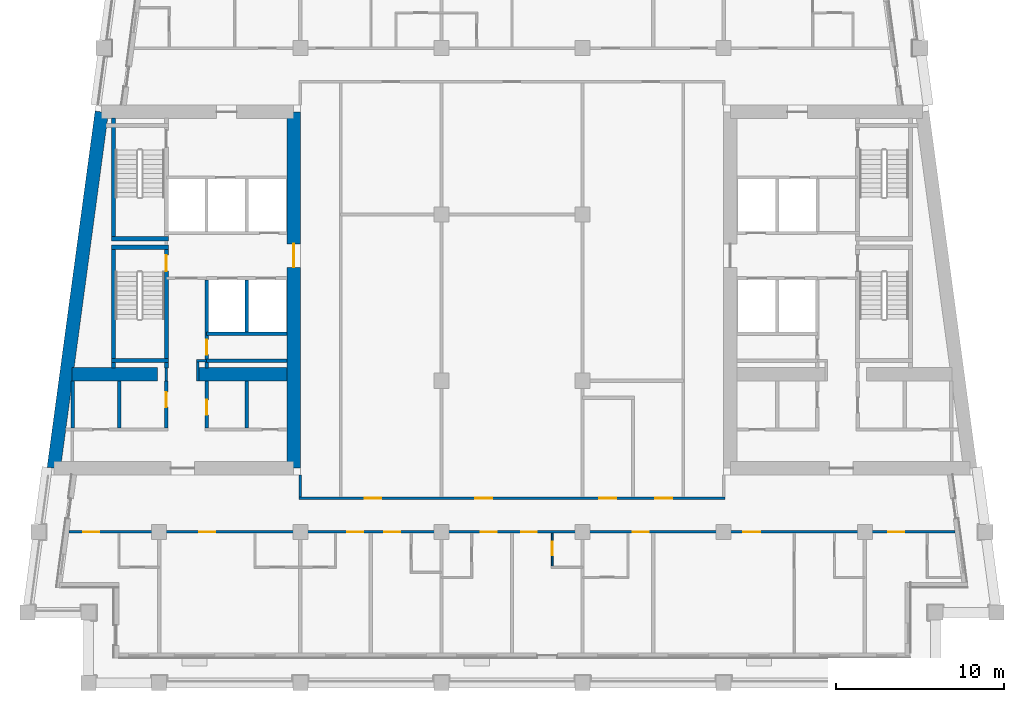
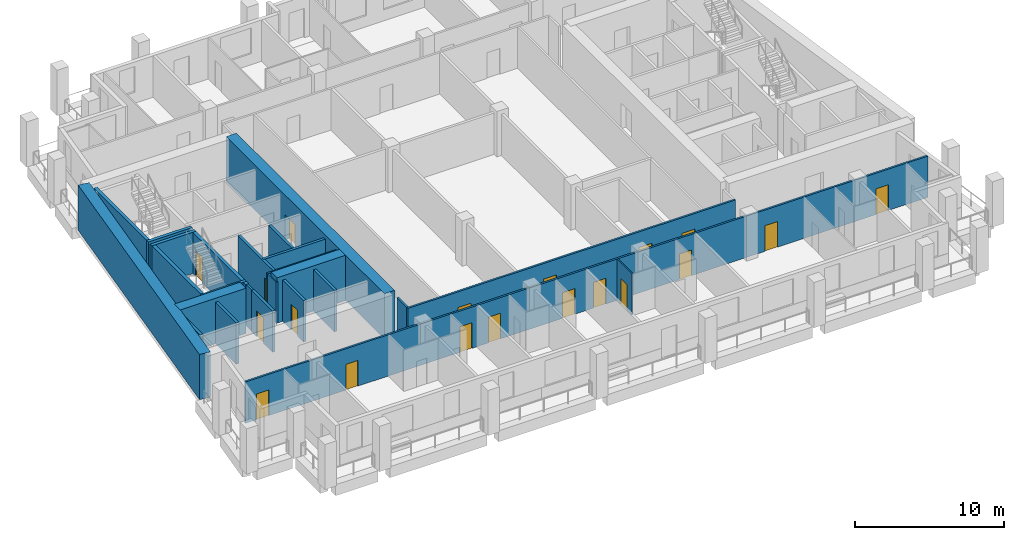
# One storey, part 3 of 13: 26 walls, 19 doors, 19 openings.
"""IFC4 building model written with IfcOpenShell, lengths in metres."""

from ifc_helpers import new_model, si_unit, direction, frame, frame_2d, origin, place, context, subcontext, project, spatial, rectangle, extrude, material, layer, layer_set, type_object, element, fill, save


model = new_model("IFC4")

# Units and contexts
model_context = context("Model", 3, precision=1e-05, world=origin(), true_north=direction((0.0, 1.0)))
body_context = subcontext(model_context, "Body", "Model", "MODEL_VIEW")
ifc_project = project(units=[si_unit("LENGTHUNIT", "METRE"), si_unit("AREAUNIT", "SQUARE_METRE"), si_unit("VOLUMEUNIT", "CUBIC_METRE"), si_unit("PLANEANGLEUNIT", "RADIAN"), si_unit("MASSUNIT", "GRAM", prefix="KILO")], contexts=[model_context])

# Site, building, storey
site_placement = place(None, origin())
site = spatial("IfcSite", under=ifc_project, at=site_placement, CompositionType="ELEMENT")
building_placement = place(site_placement, origin())
building = spatial("IfcBuilding", under=site, at=building_placement, Name="Candeia Pilgrim Tower and Theatre", CompositionType="ELEMENT")
storey_placement = place(building_placement, frame((0.0, 0.0, 239.199951171875)))
storey = spatial("IfcBuildingStorey", under=building, at=storey_placement, Name="L58", CompositionType="ELEMENT", Elevation=239.199951171875)

# Wall, opening, door
ifc_material_1 = material(Name="Concrete C50/60", Category="concrete")
ifc_layer_1 = layer(ifc_material_1, 0.800048828125)
ifc_layer_set_1 = layer_set([ifc_layer_1], Name="Core wall 800 C50/60")
wall_type_1 = type_object("IfcWallType", Name="Core wall 800 C50/60", PredefinedType="SHEAR", material=ifc_layer_set_1)
wall_1_placement = place(storey_placement, frame((100.39990234375, 132.0, 0.0), z_axis=(0.0, 0.0, 1.0), x_axis=(0.0, -1.0, 0.0)))
wall_1 = element("IfcWall", 1, at=wall_1_placement, inside=storey, type_object=wall_type_1, Name="Core wall W2", PredefinedType="SHEAR", context=body_context, shape_type="SweptSolid", body=[
    extrude(rectangle(XDim=21.199951171875, YDim=0.800048828125, at=frame_2d((10.60009765625, 0.0))), origin(), (0.0, 0.0, 1.0), 3.699951171875),
])
opening_1_placement = place(wall_1_placement, frame((7.85009765625, 0.0, 0.0)))
opening_1 = element("IfcOpeningElement", 2, at=opening_1_placement, cuts=wall_1, Name="Opening L58-D058", PredefinedType="OPENING", context=body_context, shape_type="SweptSolid", body=[
    extrude(rectangle(XDim=1.39990234375, YDim=2.10009765625, at=frame_2d((0.699951171875, 1.050048828125))), frame((0.0, 0.41015625, 0.0), z_axis=(0.0, -1.0, 0.0), x_axis=(1.0, 0.0, 0.0)), (0.0, 0.0, 1.0), 0.820068359375),
])
ifc_material_2 = material(Name="Steel fire door set", Category="steel")
door_type_1 = type_object("IfcDoorType", Name="D-1400-FD60", OperationType="NOTDEFINED", PredefinedType="DOOR", material=ifc_material_2)
door_1_placement = place(opening_1_placement, origin())
door_1 = element("IfcDoor", 3, at=door_1_placement, inside=storey, type_object=door_type_1, Name="Door L58-D058", OperationType="SINGLE_SWING_RIGHT", OverallHeight=2.10009765625, OverallWidth=1.39990234375, PredefinedType="DOOR", context=body_context, shape_type="SweptSolid", body=[
    extrude(rectangle(XDim=1.39990234375, YDim=2.10009765625, at=frame_2d((0.699951171875, 1.050048828125))), frame((0.0, 0.02490234375, 0.0), z_axis=(0.0, -1.0, 0.0), x_axis=(1.0, 0.0, 0.0)), (0.0, 0.0, 1.0), 0.050048828125),
])
fill(opening_1, door_1)

# Walls
wall_2_placement = place(storey_placement, frame((86.126708984375, 110.800048828125, 0.0), z_axis=(0.0, 0.0, 1.0), x_axis=(0.133408347329, 0.991061154956, 0.0)))
element("IfcWall", 4, at=wall_2_placement, inside=storey, type_object=wall_type_1, Name="Core wall W4", PredefinedType="SHEAR", context=body_context, shape_type="SweptSolid", body=[
    extrude(rectangle(XDim=21.39111328125, YDim=0.800048828125, at=frame_2d((10.695556640625, 0.0))), origin(), (0.0, 0.0, 1.0), 3.699951171875),
])
wall_3_placement = place(storey_placement, frame((87.22314453125, 116.39990234375, 0.0), z_axis=(0.0, 0.0, 1.0), x_axis=(1.0, 0.0, 0.0)))
element("IfcWall", 5, at=wall_3_placement, inside=storey, type_object=wall_type_1, Name="Core wall W5", PredefinedType="SHEAR", context=body_context, shape_type="SweptSolid", body=[
    extrude(rectangle(XDim=5.076904296875, YDim=0.800048828125, at=frame_2d((2.53857421875, 0.0))), origin(), (0.0, 0.0, 1.0), 3.699951171875),
])
wall_4_placement = place(storey_placement, frame((94.699951171875, 116.39990234375, 0.0), z_axis=(0.0, 0.0, 1.0), x_axis=(1.0, 0.0, 0.0)))
element("IfcWall", 6, at=wall_4_placement, inside=storey, type_object=wall_type_1, Name="Core wall W6", PredefinedType="SHEAR", context=body_context, shape_type="SweptSolid", body=[
    extrude(rectangle(XDim=5.300048828125, YDim=0.800048828125, at=frame_2d((2.64990234375, 0.0))), origin(), (0.0, 0.0, 1.0), 3.699951171875),
])

# Wall, opening, door
ifc_material_3 = material(Name="Gypsum board partition on steel studs", Category="steel")
ifc_layer_2 = layer(ifc_material_3, 0.10009765625)
ifc_layer_set_2 = layer_set([ifc_layer_2], Name="PW-100 room partition")
wall_type_2 = type_object("IfcWallType", Name="PW-100 room partition", PredefinedType="PARTITIONING", material=ifc_layer_set_2)
wall_5_placement = place(storey_placement, frame((115.800048828125, 104.949951171875, 0.0), z_axis=(0.0, 0.0, 1.0), x_axis=(0.0, 1.0, 0.0)))
wall_5 = element("IfcWall", 7, at=wall_5_placement, inside=storey, type_object=wall_type_2, Name="Room partition L58-086", PredefinedType="PARTITIONING", context=body_context, shape_type="SweptSolid", body=[
    extrude(rectangle(XDim=1.97509765625, YDim=0.10009765625, at=frame_2d((0.987548828125, 0.0))), origin(), (0.0, 0.0, 1.0), 3.380126953125),
])
opening_2_placement = place(wall_5_placement, frame((0.659912109375, 0.0, 0.0)))
opening_2 = element("IfcOpeningElement", 8, at=opening_2_placement, cuts=wall_5, Name="Opening L58-D028", PredefinedType="OPENING", context=body_context, shape_type="SweptSolid", body=[
    extrude(rectangle(XDim=0.800048828125, YDim=2.10009765625, at=frame_2d((0.39990234375, 1.050048828125))), frame((0.0, 0.06005859375, 0.0), z_axis=(0.0, -1.0, 0.0), x_axis=(1.0, 0.0, 0.0)), (0.0, 0.0, 1.0), 0.1201171875),
])
ifc_material_4 = material(Name="Timber door leaf", Category="wood")
door_type_2 = type_object("IfcDoorType", Name="D-800", OperationType="NOTDEFINED", PredefinedType="DOOR", material=ifc_material_4)
door_2_placement = place(opening_2_placement, origin())
door_2 = element("IfcDoor", 9, at=door_2_placement, inside=storey, type_object=door_type_2, Name="Door L58-D028", OperationType="SINGLE_SWING_RIGHT", OverallHeight=2.10009765625, OverallWidth=0.800048828125, PredefinedType="DOOR", context=body_context, shape_type="SweptSolid", body=[
    extrude(rectangle(XDim=0.800048828125, YDim=2.10009765625, at=frame_2d((0.39990234375, 1.050048828125))), frame((0.0, 0.02490234375, 0.0), z_axis=(0.0, -1.0, 0.0), x_axis=(1.0, 0.0, 0.0)), (0.0, 0.0, 1.0), 0.050048828125),
])
fill(opening_2, door_2)

# Walls
ifc_layer_3 = layer(ifc_material_3, 0.14990234375)
ifc_layer_set_3 = layer_set([ifc_layer_3], Name="PW-150 lobby wall")
wall_type_3 = type_object("IfcWallType", Name="PW-150 lobby wall", PredefinedType="PARTITIONING", material=ifc_layer_set_3)
wall_6_placement = place(storey_placement, frame((94.625, 117.199951171875, 0.0), z_axis=(0.0, 0.0, 1.0), x_axis=(1.0, 0.0, 0.0)))
element("IfcWall", 10, at=wall_6_placement, inside=storey, type_object=wall_type_3, Name="Lobby wall L58-019", PredefinedType="PARTITIONING", context=body_context, shape_type="SweptSolid", body=[
    extrude(rectangle(XDim=0.60205078125, YDim=0.14990234375, at=frame_2d((0.301025390625, 0.0))), origin(), (0.0, 0.0, 1.0), 3.380126953125),
])
wall_7_placement = place(storey_placement, frame((92.826904296875, 116.0, 0.0), z_axis=(0.0, 0.0, 1.0), x_axis=(0.0, 1.0, 0.0)))
element("IfcWall", 11, at=wall_7_placement, inside=storey, type_object=wall_type_3, Name="Lobby wall L58-055", PredefinedType="PARTITIONING", context=body_context, shape_type="SweptSolid", body=[
    extrude(rectangle(XDim=0.77001953125, YDim=0.14990234375, at=frame_2d((0.385009765625, 0.0))), origin(), (0.0, 0.0, 1.0), 3.380126953125),
])
wall_8_placement = place(storey_placement, frame((94.699951171875, 116.0, 0.0), z_axis=(0.0, 0.0, 1.0), x_axis=(0.0, 1.0, 0.0)))
element("IfcWall", 12, at=wall_8_placement, inside=storey, type_object=wall_type_3, Name="Lobby wall L58-060", PredefinedType="PARTITIONING", context=body_context, shape_type="SweptSolid", body=[
    extrude(rectangle(XDim=1.125, YDim=0.14990234375, at=frame_2d((0.5625, 0.0))), origin(), (0.0, 0.0, 1.0), 3.380126953125),
])

# Wall, openings, doors
ifc_layer_4 = layer(ifc_material_3, 0.14990234375)
ifc_layer_set_4 = layer_set([ifc_layer_4], Name="PW-150 unit wall")
wall_type_4 = type_object("IfcWallType", Name="PW-150 unit wall", PredefinedType="PARTITIONING", material=ifc_layer_set_4)
wall_9_placement = place(storey_placement, frame((87.017578125, 107.0, 0.0), z_axis=(0.0, 0.0, 1.0), x_axis=(1.0, 0.0, 0.0)))
wall_9 = element("IfcWall", 13, at=wall_9_placement, inside=storey, type_object=wall_type_4, Name="Unit wall L58-009", PredefinedType="PARTITIONING", context=body_context, shape_type="SweptSolid", body=[
    extrude(rectangle(XDim=52.7646484375, YDim=0.14990234375, at=frame_2d((26.38232421875, 0.0))), origin(), (0.0, 0.0, 1.0), 3.380126953125),
])
opening_3_placement = place(wall_9_placement, frame((0.870361328125, 0.0, 0.0)))
opening_3 = element("IfcOpeningElement", 14, at=opening_3_placement, cuts=wall_9, Name="Opening L58-D017", PredefinedType="OPENING", context=body_context, shape_type="SweptSolid", body=[
    extrude(rectangle(XDim=0.949951171875, YDim=2.10009765625, at=frame_2d((0.47509765625, 1.050048828125))), frame((0.0, 0.0849609375, 0.0), z_axis=(0.0, -1.0, 0.0), x_axis=(1.0, 0.0, 0.0)), (0.0, 0.0, 1.0), 0.169921875),
])
opening_4_placement = place(wall_9_placement, frame((7.75732421875, 0.0, 0.0)))
opening_4 = element("IfcOpeningElement", 15, at=opening_4_placement, cuts=wall_9, Name="Opening L58-D019", PredefinedType="OPENING", context=body_context, shape_type="SweptSolid", body=[
    extrude(rectangle(XDim=0.949951171875, YDim=2.10009765625, at=frame_2d((0.47509765625, 1.050048828125))), frame((0.0, 0.0849609375, 0.0), z_axis=(0.0, -1.0, 0.0), x_axis=(1.0, 0.0, 0.0)), (0.0, 0.0, 1.0), 0.169921875),
])
opening_5_placement = place(wall_9_placement, frame((16.5703125, 0.0, 0.0)))
opening_5 = element("IfcOpeningElement", 16, at=opening_5_placement, cuts=wall_9, Name="Opening L58-D021", PredefinedType="OPENING", context=body_context, shape_type="SweptSolid", body=[
    extrude(rectangle(XDim=0.949951171875, YDim=2.10009765625, at=frame_2d((0.47509765625, 1.050048828125))), frame((0.0, 0.0849609375, 0.0), z_axis=(0.0, -1.0, 0.0), x_axis=(1.0, 0.0, 0.0)), (0.0, 0.0, 1.0), 0.169921875),
])
opening_6_placement = place(wall_9_placement, frame((18.7822265625, 0.0, 0.0)))
opening_6 = element("IfcOpeningElement", 17, at=opening_6_placement, cuts=wall_9, Name="Opening L58-D023", PredefinedType="OPENING", context=body_context, shape_type="SweptSolid", body=[
    extrude(rectangle(XDim=0.949951171875, YDim=2.10009765625, at=frame_2d((0.47509765625, 1.050048828125))), frame((0.0, 0.0849609375, 0.0), z_axis=(0.0, -1.0, 0.0), x_axis=(1.0, 0.0, 0.0)), (0.0, 0.0, 1.0), 0.169921875),
])
opening_7_placement = place(wall_9_placement, frame((24.519287109375, 0.0, 0.0)))
opening_7 = element("IfcOpeningElement", 18, at=opening_7_placement, cuts=wall_9, Name="Opening L58-D025", PredefinedType="OPENING", context=body_context, shape_type="SweptSolid", body=[
    extrude(rectangle(XDim=0.949951171875, YDim=2.10009765625, at=frame_2d((0.47509765625, 1.050048828125))), frame((0.0, 0.0849609375, 0.0), z_axis=(0.0, -1.0, 0.0), x_axis=(1.0, 0.0, 0.0)), (0.0, 0.0, 1.0), 0.169921875),
])
opening_8_placement = place(wall_9_placement, frame((26.919189453125, 0.0, 0.0)))
opening_8 = element("IfcOpeningElement", 19, at=opening_8_placement, cuts=wall_9, Name="Opening L58-D027", PredefinedType="OPENING", context=body_context, shape_type="SweptSolid", body=[
    extrude(rectangle(XDim=0.949951171875, YDim=2.10009765625, at=frame_2d((0.47509765625, 1.050048828125))), frame((0.0, 0.0849609375, 0.0), z_axis=(0.0, -1.0, 0.0), x_axis=(1.0, 0.0, 0.0)), (0.0, 0.0, 1.0), 0.169921875),
])
opening_9_placement = place(wall_9_placement, frame((33.557373046875, 0.0, 0.0)))
opening_9 = element("IfcOpeningElement", 20, at=opening_9_placement, cuts=wall_9, Name="Opening L58-D029", PredefinedType="OPENING", context=body_context, shape_type="SweptSolid", body=[
    extrude(rectangle(XDim=0.949951171875, YDim=2.10009765625, at=frame_2d((0.47509765625, 1.050048828125))), frame((0.0, 0.0849609375, 0.0), z_axis=(0.0, -1.0, 0.0), x_axis=(1.0, 0.0, 0.0)), (0.0, 0.0, 1.0), 0.169921875),
])
opening_10_placement = place(wall_9_placement, frame((40.1572265625, 0.0, 0.0)))
opening_10 = element("IfcOpeningElement", 21, at=opening_10_placement, cuts=wall_9, Name="Opening L58-D031", PredefinedType="OPENING", context=body_context, shape_type="SweptSolid", body=[
    extrude(rectangle(XDim=1.0, YDim=2.10009765625, at=frame_2d((0.5, 1.050048828125))), frame((0.0, 0.0849609375, 0.0), z_axis=(0.0, -1.0, 0.0), x_axis=(1.0, 0.0, 0.0)), (0.0, 0.0, 1.0), 0.169921875),
])
opening_11_placement = place(wall_9_placement, frame((48.767333984375, 0.0, 0.0)))
opening_11 = element("IfcOpeningElement", 22, at=opening_11_placement, cuts=wall_9, Name="Opening L58-D034", PredefinedType="OPENING", context=body_context, shape_type="SweptSolid", body=[
    extrude(rectangle(XDim=0.949951171875, YDim=2.10009765625, at=frame_2d((0.47509765625, 1.050048828125))), frame((0.0, 0.0849609375, 0.0), z_axis=(0.0, -1.0, 0.0), x_axis=(1.0, 0.0, 0.0)), (0.0, 0.0, 1.0), 0.169921875),
])
door_type_3 = type_object("IfcDoorType", Name="D-1000-FD30S", OperationType="NOTDEFINED", PredefinedType="DOOR", material=ifc_material_2)
door_3_placement = place(opening_10_placement, origin())
door_3 = element("IfcDoor", 23, at=door_3_placement, inside=storey, type_object=door_type_3, Name="Door L58-D031", OperationType="SINGLE_SWING_LEFT", OverallHeight=2.10009765625, OverallWidth=1.0, PredefinedType="DOOR", context=body_context, shape_type="SweptSolid", body=[
    extrude(rectangle(XDim=1.0, YDim=2.10009765625, at=frame_2d((0.5, 1.050048828125))), frame((0.0, 0.02490234375, 0.0), z_axis=(0.0, -1.0, 0.0), x_axis=(1.0, 0.0, 0.0)), (0.0, 0.0, 1.0), 0.050048828125),
])
fill(opening_10, door_3)
door_type_4 = type_object("IfcDoorType", Name="D-950-FD30S", OperationType="NOTDEFINED", PredefinedType="DOOR", material=ifc_material_2)
door_4_placement = place(opening_3_placement, origin())
door_4 = element("IfcDoor", 24, at=door_4_placement, inside=storey, type_object=door_type_4, Name="Door L58-D017", OperationType="SINGLE_SWING_LEFT", OverallHeight=2.10009765625, OverallWidth=0.949951171875, PredefinedType="DOOR", context=body_context, shape_type="SweptSolid", body=[
    extrude(rectangle(XDim=0.949951171875, YDim=2.10009765625, at=frame_2d((0.47509765625, 1.050048828125))), frame((0.0, 0.02490234375, 0.0), z_axis=(0.0, -1.0, 0.0), x_axis=(1.0, 0.0, 0.0)), (0.0, 0.0, 1.0), 0.050048828125),
])
fill(opening_3, door_4)
door_5_placement = place(opening_4_placement, origin())
door_5 = element("IfcDoor", 25, at=door_5_placement, inside=storey, type_object=door_type_4, Name="Door L58-D019", OperationType="SINGLE_SWING_LEFT", OverallHeight=2.10009765625, OverallWidth=0.949951171875, PredefinedType="DOOR", context=body_context, shape_type="SweptSolid", body=[
    extrude(rectangle(XDim=0.949951171875, YDim=2.10009765625, at=frame_2d((0.47509765625, 1.050048828125))), frame((0.0, 0.02490234375, 0.0), z_axis=(0.0, -1.0, 0.0), x_axis=(1.0, 0.0, 0.0)), (0.0, 0.0, 1.0), 0.050048828125),
])
fill(opening_4, door_5)
door_6_placement = place(opening_5_placement, origin())
door_6 = element("IfcDoor", 26, at=door_6_placement, inside=storey, type_object=door_type_4, Name="Door L58-D021", OperationType="SINGLE_SWING_LEFT", OverallHeight=2.10009765625, OverallWidth=0.949951171875, PredefinedType="DOOR", context=body_context, shape_type="SweptSolid", body=[
    extrude(rectangle(XDim=0.949951171875, YDim=2.10009765625, at=frame_2d((0.47509765625, 1.050048828125))), frame((0.0, 0.02490234375, 0.0), z_axis=(0.0, -1.0, 0.0), x_axis=(1.0, 0.0, 0.0)), (0.0, 0.0, 1.0), 0.050048828125),
])
fill(opening_5, door_6)
door_7_placement = place(opening_6_placement, origin())
door_7 = element("IfcDoor", 27, at=door_7_placement, inside=storey, type_object=door_type_4, Name="Door L58-D023", OperationType="SINGLE_SWING_LEFT", OverallHeight=2.10009765625, OverallWidth=0.949951171875, PredefinedType="DOOR", context=body_context, shape_type="SweptSolid", body=[
    extrude(rectangle(XDim=0.949951171875, YDim=2.10009765625, at=frame_2d((0.47509765625, 1.050048828125))), frame((0.0, 0.02490234375, 0.0), z_axis=(0.0, -1.0, 0.0), x_axis=(1.0, 0.0, 0.0)), (0.0, 0.0, 1.0), 0.050048828125),
])
fill(opening_6, door_7)
door_8_placement = place(opening_7_placement, origin())
door_8 = element("IfcDoor", 28, at=door_8_placement, inside=storey, type_object=door_type_4, Name="Door L58-D025", OperationType="SINGLE_SWING_LEFT", OverallHeight=2.10009765625, OverallWidth=0.949951171875, PredefinedType="DOOR", context=body_context, shape_type="SweptSolid", body=[
    extrude(rectangle(XDim=0.949951171875, YDim=2.10009765625, at=frame_2d((0.47509765625, 1.050048828125))), frame((0.0, 0.02490234375, 0.0), z_axis=(0.0, -1.0, 0.0), x_axis=(1.0, 0.0, 0.0)), (0.0, 0.0, 1.0), 0.050048828125),
])
fill(opening_7, door_8)
door_9_placement = place(opening_8_placement, origin())
door_9 = element("IfcDoor", 29, at=door_9_placement, inside=storey, type_object=door_type_4, Name="Door L58-D027", OperationType="SINGLE_SWING_LEFT", OverallHeight=2.10009765625, OverallWidth=0.949951171875, PredefinedType="DOOR", context=body_context, shape_type="SweptSolid", body=[
    extrude(rectangle(XDim=0.949951171875, YDim=2.10009765625, at=frame_2d((0.47509765625, 1.050048828125))), frame((0.0, 0.02490234375, 0.0), z_axis=(0.0, -1.0, 0.0), x_axis=(1.0, 0.0, 0.0)), (0.0, 0.0, 1.0), 0.050048828125),
])
fill(opening_8, door_9)
door_10_placement = place(opening_9_placement, origin())
door_10 = element("IfcDoor", 30, at=door_10_placement, inside=storey, type_object=door_type_4, Name="Door L58-D029", OperationType="SINGLE_SWING_LEFT", OverallHeight=2.10009765625, OverallWidth=0.949951171875, PredefinedType="DOOR", context=body_context, shape_type="SweptSolid", body=[
    extrude(rectangle(XDim=0.949951171875, YDim=2.10009765625, at=frame_2d((0.47509765625, 1.050048828125))), frame((0.0, 0.02490234375, 0.0), z_axis=(0.0, -1.0, 0.0), x_axis=(1.0, 0.0, 0.0)), (0.0, 0.0, 1.0), 0.050048828125),
])
fill(opening_9, door_10)
door_11_placement = place(opening_11_placement, origin())
door_11 = element("IfcDoor", 31, at=door_11_placement, inside=storey, type_object=door_type_4, Name="Door L58-D034", OperationType="SINGLE_SWING_RIGHT", OverallHeight=2.10009765625, OverallWidth=0.949951171875, PredefinedType="DOOR", context=body_context, shape_type="SweptSolid", body=[
    extrude(rectangle(XDim=0.949951171875, YDim=2.10009765625, at=frame_2d((0.47509765625, 1.050048828125))), frame((0.0, 0.02490234375, 0.0), z_axis=(0.0, -1.0, 0.0), x_axis=(1.0, 0.0, 0.0)), (0.0, 0.0, 1.0), 0.050048828125),
])
fill(opening_11, door_11)

wall_10_placement = place(storey_placement, frame((100.72509765625, 109.0, 0.0), z_axis=(0.0, 0.0, 1.0), x_axis=(1.0, 0.0, 0.0)))
wall_10 = element("IfcWall", 32, at=wall_10_placement, inside=storey, type_object=wall_type_4, Name="Unit wall L58-010", PredefinedType="PARTITIONING", context=body_context, shape_type="SweptSolid", body=[
    extrude(rectangle(XDim=25.349853515625, YDim=0.14990234375, at=frame_2d((12.6748046875, 0.0))), origin(), (0.0, 0.0, 1.0), 3.380126953125),
])
opening_12_placement = place(wall_10_placement, frame((21.199951171875, 0.0, 0.0)))
opening_12 = element("IfcOpeningElement", 33, at=opening_12_placement, cuts=wall_10, Name="Opening L58-D049", PredefinedType="OPENING", context=body_context, shape_type="SweptSolid", body=[
    extrude(rectangle(XDim=1.0, YDim=2.10009765625, at=frame_2d((0.5, 1.050048828125))), frame((0.0, 0.0849609375, 0.0), z_axis=(0.0, -1.0, 0.0), x_axis=(1.0, 0.0, 0.0)), (0.0, 0.0, 1.0), 0.169921875),
])
opening_13_placement = place(wall_10_placement, frame((3.89990234375, 0.0, 0.0)))
opening_13 = element("IfcOpeningElement", 34, at=opening_13_placement, cuts=wall_10, Name="Opening L58-D050", PredefinedType="OPENING", context=body_context, shape_type="SweptSolid", body=[
    extrude(rectangle(XDim=1.0, YDim=2.10009765625, at=frame_2d((0.5, 1.050048828125))), frame((0.0, 0.0849609375, 0.0), z_axis=(0.0, -1.0, 0.0), x_axis=(1.0, 0.0, 0.0)), (0.0, 0.0, 1.0), 0.169921875),
])
opening_14_placement = place(wall_10_placement, frame((10.5, 0.0, 0.0)))
opening_14 = element("IfcOpeningElement", 35, at=opening_14_placement, cuts=wall_10, Name="Opening L58-D052", PredefinedType="OPENING", context=body_context, shape_type="SweptSolid", body=[
    extrude(rectangle(XDim=1.0, YDim=2.10009765625, at=frame_2d((0.5, 1.050048828125))), frame((0.0, 0.0849609375, 0.0), z_axis=(0.0, -1.0, 0.0), x_axis=(1.0, 0.0, 0.0)), (0.0, 0.0, 1.0), 0.169921875),
])
opening_15_placement = place(wall_10_placement, frame((17.875, 0.0, 0.0)))
opening_15 = element("IfcOpeningElement", 36, at=opening_15_placement, cuts=wall_10, Name="Opening L58-D054", PredefinedType="OPENING", context=body_context, shape_type="SweptSolid", body=[
    extrude(rectangle(XDim=1.0, YDim=2.10009765625, at=frame_2d((0.5, 1.050048828125))), frame((0.0, 0.0849609375, 0.0), z_axis=(0.0, -1.0, 0.0), x_axis=(1.0, 0.0, 0.0)), (0.0, 0.0, 1.0), 0.169921875),
])
door_12_placement = place(opening_12_placement, origin())
door_12 = element("IfcDoor", 37, at=door_12_placement, inside=storey, type_object=door_type_3, Name="Door L58-D049", OperationType="SINGLE_SWING_LEFT", OverallHeight=2.10009765625, OverallWidth=1.0, PredefinedType="DOOR", context=body_context, shape_type="SweptSolid", body=[
    extrude(rectangle(XDim=1.0, YDim=2.10009765625, at=frame_2d((0.5, 1.050048828125))), frame((0.0, 0.02490234375, 0.0), z_axis=(0.0, -1.0, 0.0), x_axis=(1.0, 0.0, 0.0)), (0.0, 0.0, 1.0), 0.050048828125),
])
fill(opening_12, door_12)
door_13_placement = place(opening_13_placement, origin())
door_13 = element("IfcDoor", 38, at=door_13_placement, inside=storey, type_object=door_type_3, Name="Door L58-D050", OperationType="SINGLE_SWING_RIGHT", OverallHeight=2.10009765625, OverallWidth=1.0, PredefinedType="DOOR", context=body_context, shape_type="SweptSolid", body=[
    extrude(rectangle(XDim=1.0, YDim=2.10009765625, at=frame_2d((0.5, 1.050048828125))), frame((0.0, 0.02490234375, 0.0), z_axis=(0.0, -1.0, 0.0), x_axis=(1.0, 0.0, 0.0)), (0.0, 0.0, 1.0), 0.050048828125),
])
fill(opening_13, door_13)
door_14_placement = place(opening_14_placement, origin())
door_14 = element("IfcDoor", 39, at=door_14_placement, inside=storey, type_object=door_type_3, Name="Door L58-D052", OperationType="SINGLE_SWING_RIGHT", OverallHeight=2.10009765625, OverallWidth=1.0, PredefinedType="DOOR", context=body_context, shape_type="SweptSolid", body=[
    extrude(rectangle(XDim=1.0, YDim=2.10009765625, at=frame_2d((0.5, 1.050048828125))), frame((0.0, 0.02490234375, 0.0), z_axis=(0.0, -1.0, 0.0), x_axis=(1.0, 0.0, 0.0)), (0.0, 0.0, 1.0), 0.050048828125),
])
fill(opening_14, door_14)
door_15_placement = place(opening_15_placement, origin())
door_15 = element("IfcDoor", 40, at=door_15_placement, inside=storey, type_object=door_type_3, Name="Door L58-D054", OperationType="SINGLE_SWING_RIGHT", OverallHeight=2.10009765625, OverallWidth=1.0, PredefinedType="DOOR", context=body_context, shape_type="SweptSolid", body=[
    extrude(rectangle(XDim=1.0, YDim=2.10009765625, at=frame_2d((0.5, 1.050048828125))), frame((0.0, 0.02490234375, 0.0), z_axis=(0.0, -1.0, 0.0), x_axis=(1.0, 0.0, 0.0)), (0.0, 0.0, 1.0), 0.050048828125),
])
fill(opening_15, door_15)

# Walls
wall_11_placement = place(storey_placement, frame((100.800048828125, 109.074951171875, 0.0), z_axis=(0.0, 0.0, 1.0), x_axis=(0.0, 1.0, 0.0)))
element("IfcWall", 41, at=wall_11_placement, inside=storey, type_object=wall_type_4, Name="Unit wall L58-071", PredefinedType="PARTITIONING", context=body_context, shape_type="SweptSolid", body=[
    extrude(rectangle(XDim=1.324951171875, YDim=0.14990234375, at=frame_2d((0.66259765625, 0.0))), origin(), (0.0, 0.0, 1.0), 3.380126953125),
])
ifc_material_5 = material(Name="Concrete C40/50", Category="concrete")
ifc_layer_5 = layer(ifc_material_5, 0.199951171875)
ifc_layer_set_5 = layer_set([ifc_layer_5], Name="SW-200 shaft wall")
wall_type_5 = type_object("IfcWallType", Name="SW-200 shaft wall", PredefinedType="PARTITIONING", material=ifc_layer_set_5)
for number, where, z_axis, x_axis, name in (
    (42, (95.22705078125, 117.199951171875, 0.0), (0.0, 0.0, 1.0), (1.0, 0.0, 0.0), "Shaft wall L58-017"),
    (43, (95.22705078125, 118.800048828125, 0.0), (0.0, 0.0, 1.0), (1.0, 0.0, 0.0), "Shaft wall L58-023"),
):
    element("IfcWall", number, at=place(storey_placement, frame(where, z_axis=z_axis, x_axis=x_axis)), inside=storey, type_object=wall_type_5, Name=name, PredefinedType="PARTITIONING", context=body_context, shape_type="SweptSolid", body=[
        extrude(rectangle(XDim=4.77294921875, YDim=0.199951171875, at=frame_2d((2.386474609375, 0.0))), origin(), (0.0, 0.0, 1.0), 3.380126953125),
    ])
for number, where, z_axis, x_axis, name in (
    (44, (87.24951171875, 113.199951171875, 0.0), (0.0, 0.0, 1.0), (0.0, 1.0, 0.0), "Shaft wall L58-047"),
    (45, (90.027099609375, 113.199951171875, 0.0), (0.0, 0.0, 1.0), (0.0, 1.0, 0.0), "Shaft wall L58-052"),
):
    element("IfcWall", number, at=place(storey_placement, frame(where, z_axis=z_axis, x_axis=x_axis)), inside=storey, type_object=wall_type_5, Name=name, PredefinedType="PARTITIONING", context=body_context, shape_type="SweptSolid", body=[
        extrude(rectangle(XDim=2.800048828125, YDim=0.199951171875, at=frame_2d((1.39990234375, 0.0))), origin(), (0.0, 0.0, 1.0), 3.380126953125),
    ])

# Wall, opening, door
wall_12_placement = place(storey_placement, frame((92.826904296875, 113.199951171875, 0.0), z_axis=(0.0, 0.0, 1.0), x_axis=(0.0, 1.0, 0.0)))
wall_12 = element("IfcWall", 46, at=wall_12_placement, inside=storey, type_object=wall_type_5, Name="Shaft wall L58-054", PredefinedType="PARTITIONING", context=body_context, shape_type="SweptSolid", body=[
    extrude(rectangle(XDim=2.800048828125, YDim=0.199951171875, at=frame_2d((1.39990234375, 0.0))), origin(), (0.0, 0.0, 1.0), 3.380126953125),
])
opening_16_placement = place(wall_12_placement, frame((1.22509765625, 0.0, 0.0)))
opening_16 = element("IfcOpeningElement", 47, at=opening_16_placement, cuts=wall_12, Name="Opening L58-D006", PredefinedType="OPENING", context=body_context, shape_type="SweptSolid", body=[
    extrude(rectangle(XDim=0.89990234375, YDim=2.10009765625, at=frame_2d((0.449951171875, 1.050048828125))), frame((0.0, 0.10986328125, 0.0), z_axis=(0.0, -1.0, 0.0), x_axis=(1.0, 0.0, 0.0)), (0.0, 0.0, 1.0), 0.219970703125),
])
door_type_5 = type_object("IfcDoorType", Name="D-900-FD60", OperationType="NOTDEFINED", PredefinedType="DOOR", material=ifc_material_2)
door_16_placement = place(opening_16_placement, origin())
door_16 = element("IfcDoor", 48, at=door_16_placement, inside=storey, type_object=door_type_5, Name="Door L58-D006", OperationType="SINGLE_SWING_RIGHT", OverallHeight=2.10009765625, OverallWidth=0.89990234375, PredefinedType="DOOR", context=body_context, shape_type="SweptSolid", body=[
    extrude(rectangle(XDim=0.89990234375, YDim=2.10009765625, at=frame_2d((0.449951171875, 1.050048828125))), frame((0.0, 0.02490234375, 0.0), z_axis=(0.0, -1.0, 0.0), x_axis=(1.0, 0.0, 0.0)), (0.0, 0.0, 1.0), 0.050048828125),
])
fill(opening_16, door_16)

wall_13_placement = place(storey_placement, frame((95.22705078125, 113.199951171875, 0.0), z_axis=(0.0, 0.0, 1.0), x_axis=(0.0, 1.0, 0.0)))
wall_13 = element("IfcWall", 49, at=wall_13_placement, inside=storey, type_object=wall_type_5, Name="Shaft wall L58-062", PredefinedType="PARTITIONING", context=body_context, shape_type="SweptSolid", body=[
    extrude(rectangle(XDim=2.800048828125, YDim=0.199951171875, at=frame_2d((1.39990234375, 0.0))), origin(), (0.0, 0.0, 1.0), 3.380126953125),
])
opening_17_placement = place(wall_13_placement, frame((0.77001953125, 0.0, 0.0)))
opening_17 = element("IfcOpeningElement", 50, at=opening_17_placement, cuts=wall_13, Name="Opening L58-D007", PredefinedType="OPENING", context=body_context, shape_type="SweptSolid", body=[
    extrude(rectangle(XDim=0.89990234375, YDim=2.10009765625, at=frame_2d((0.449951171875, 1.050048828125))), frame((0.0, 0.10986328125, 0.0), z_axis=(0.0, -1.0, 0.0), x_axis=(1.0, 0.0, 0.0)), (0.0, 0.0, 1.0), 0.219970703125),
])
door_17_placement = place(opening_17_placement, origin())
door_17 = element("IfcDoor", 51, at=door_17_placement, inside=storey, type_object=door_type_5, Name="Door L58-D007", OperationType="SINGLE_SWING_LEFT", OverallHeight=2.10009765625, OverallWidth=0.89990234375, PredefinedType="DOOR", context=body_context, shape_type="SweptSolid", body=[
    extrude(rectangle(XDim=0.89990234375, YDim=2.10009765625, at=frame_2d((0.449951171875, 1.050048828125))), frame((0.0, 0.02490234375, 0.0), z_axis=(0.0, -1.0, 0.0), x_axis=(1.0, 0.0, 0.0)), (0.0, 0.0, 1.0), 0.050048828125),
])
fill(opening_17, door_17)

wall_14_placement = place(storey_placement, frame((95.22705078125, 116.77001953125, 0.0), z_axis=(0.0, 0.0, 1.0), x_axis=(0.0, 1.0, 0.0)))
wall_14 = element("IfcWall", 52, at=wall_14_placement, inside=storey, type_object=wall_type_5, Name="Shaft wall L58-063", PredefinedType="PARTITIONING", context=body_context, shape_type="SweptSolid", body=[
    extrude(rectangle(XDim=5.22998046875, YDim=0.199951171875, at=frame_2d((2.614990234375, 0.0))), origin(), (0.0, 0.0, 1.0), 3.380126953125),
])
opening_18_placement = place(wall_14_placement, frame((0.780029296875, 0.0, 0.0)))
opening_18 = element("IfcOpeningElement", 53, at=opening_18_placement, cuts=wall_14, Name="Opening L58-D004", PredefinedType="OPENING", context=body_context, shape_type="SweptSolid", body=[
    extrude(rectangle(XDim=0.89990234375, YDim=2.10009765625, at=frame_2d((0.449951171875, 1.050048828125))), frame((0.0, 0.10986328125, 0.0), z_axis=(0.0, -1.0, 0.0), x_axis=(1.0, 0.0, 0.0)), (0.0, 0.0, 1.0), 0.219970703125),
])
door_18_placement = place(opening_18_placement, origin())
door_18 = element("IfcDoor", 54, at=door_18_placement, inside=storey, type_object=door_type_5, Name="Door L58-D004", OperationType="SINGLE_SWING_RIGHT", OverallHeight=2.10009765625, OverallWidth=0.89990234375, PredefinedType="DOOR", context=body_context, shape_type="SweptSolid", body=[
    extrude(rectangle(XDim=0.89990234375, YDim=2.10009765625, at=frame_2d((0.449951171875, 1.050048828125))), frame((0.0, 0.02490234375, 0.0), z_axis=(0.0, -1.0, 0.0), x_axis=(1.0, 0.0, 0.0)), (0.0, 0.0, 1.0), 0.050048828125),
])
fill(opening_18, door_18)

# Walls
wall_15_placement = place(storey_placement, frame((97.613525390625, 113.199951171875, 0.0), z_axis=(0.0, 0.0, 1.0), x_axis=(0.0, 1.0, 0.0)))
element("IfcWall", 55, at=wall_15_placement, inside=storey, type_object=wall_type_5, Name="Shaft wall L58-066", PredefinedType="PARTITIONING", context=body_context, shape_type="SweptSolid", body=[
    extrude(rectangle(XDim=2.800048828125, YDim=0.199951171875, at=frame_2d((1.39990234375, 0.0))), origin(), (0.0, 0.0, 1.0), 3.380126953125),
])
wall_16_placement = place(storey_placement, frame((97.613525390625, 118.89990234375, 0.0), z_axis=(0.0, 0.0, 1.0), x_axis=(0.0, 1.0, 0.0)))
element("IfcWall", 56, at=wall_16_placement, inside=storey, type_object=wall_type_5, Name="Shaft wall L58-067", PredefinedType="PARTITIONING", context=body_context, shape_type="SweptSolid", body=[
    extrude(rectangle(XDim=3.10009765625, YDim=0.199951171875, at=frame_2d((1.550048828125, 0.0))), origin(), (0.0, 0.0, 1.0), 3.380126953125),
])
ifc_layer_6 = layer(ifc_material_5, 0.25)
ifc_layer_set_6 = layer_set([ifc_layer_6], Name="SW-250 stair wall")
wall_type_6 = type_object("IfcWallType", Name="SW-250 stair wall", PredefinedType="PARTITIONING", material=ifc_layer_set_6)
for number, where, z_axis, x_axis, name in (
    (57, (89.552001953125, 117.199951171875, 0.0), (0.0, 0.0, 1.0), (1.0, 0.0, 0.0), "Stair wall L58-021"),
    (58, (89.552001953125, 123.949951171875, 0.0), (0.0, 0.0, 1.0), (1.0, 0.0, 0.0), "Stair wall L58-029"),
    (59, (89.552001953125, 124.449951171875, 0.0), (0.0, 0.0, 1.0), (1.0, 0.0, 0.0), "Stair wall L58-031"),
):
    element("IfcWall", number, at=place(storey_placement, frame(where, z_axis=z_axis, x_axis=x_axis)), inside=storey, type_object=wall_type_6, Name=name, PredefinedType="PARTITIONING", context=body_context, shape_type="SweptSolid", body=[
        extrude(rectangle(XDim=3.39990234375, YDim=0.25, at=frame_2d((1.699951171875, 0.0))), origin(), (0.0, 0.0, 1.0), 3.380126953125),
    ])
for number, where, z_axis, x_axis, name in (
    (60, (89.677001953125, 116.77001953125, 0.0), (0.0, 0.0, 1.0), (0.0, 1.0, 0.0), "Stair wall L58-049"),
    (61, (89.677001953125, 124.574951171875, 0.0), (0.0, 0.0, 1.0), (0.0, 1.0, 0.0), "Stair wall L58-050"),
):
    element("IfcWall", number, at=place(storey_placement, frame(where, z_axis=z_axis, x_axis=x_axis)), inside=storey, type_object=wall_type_6, Name=name, PredefinedType="PARTITIONING", context=body_context, shape_type="SweptSolid", body=[
        extrude(rectangle(XDim=7.054931640625, YDim=0.25, at=frame_2d((3.52734375, 0.0))), origin(), (0.0, 0.0, 1.0), 3.380126953125),
    ])

# Wall, opening, door
wall_17_placement = place(storey_placement, frame((92.826904296875, 116.77001953125, 0.0), z_axis=(0.0, 0.0, 1.0), x_axis=(0.0, 1.0, 0.0)))
wall_17 = element("IfcWall", 62, at=wall_17_placement, inside=storey, type_object=wall_type_6, Name="Stair wall L58-057", PredefinedType="PARTITIONING", context=body_context, shape_type="SweptSolid", body=[
    extrude(rectangle(XDim=7.054931640625, YDim=0.25, at=frame_2d((3.52734375, 0.0))), origin(), (0.0, 0.0, 1.0), 3.380126953125),
])
opening_19_placement = place(wall_17_placement, frame((5.7548828125, 0.0, 0.0)))
opening_19 = element("IfcOpeningElement", 63, at=opening_19_placement, cuts=wall_17, Name="Opening L58-D002", PredefinedType="OPENING", context=body_context, shape_type="SweptSolid", body=[
    extrude(rectangle(XDim=0.949951171875, YDim=2.10009765625, at=frame_2d((0.47509765625, 1.050048828125))), frame((0.0, 0.135009765625, 0.0), z_axis=(0.0, -1.0, 0.0), x_axis=(1.0, 0.0, 0.0)), (0.0, 0.0, 1.0), 0.27001953125),
])
door_type_6 = type_object("IfcDoorType", Name="D-950-FD60", OperationType="NOTDEFINED", PredefinedType="DOOR", material=ifc_material_2)
door_19_placement = place(opening_19_placement, origin())
door_19 = element("IfcDoor", 64, at=door_19_placement, inside=storey, type_object=door_type_6, Name="Door L58-D002", OperationType="SINGLE_SWING_RIGHT", OverallHeight=2.10009765625, OverallWidth=0.949951171875, PredefinedType="DOOR", context=body_context, shape_type="SweptSolid", body=[
    extrude(rectangle(XDim=0.949951171875, YDim=2.10009765625, at=frame_2d((0.47509765625, 1.050048828125))), frame((0.0, 0.02490234375, 0.0), z_axis=(0.0, -1.0, 0.0), x_axis=(1.0, 0.0, 0.0)), (0.0, 0.0, 1.0), 0.050048828125),
])
fill(opening_19, door_19)

save(model, "model.ifc")
